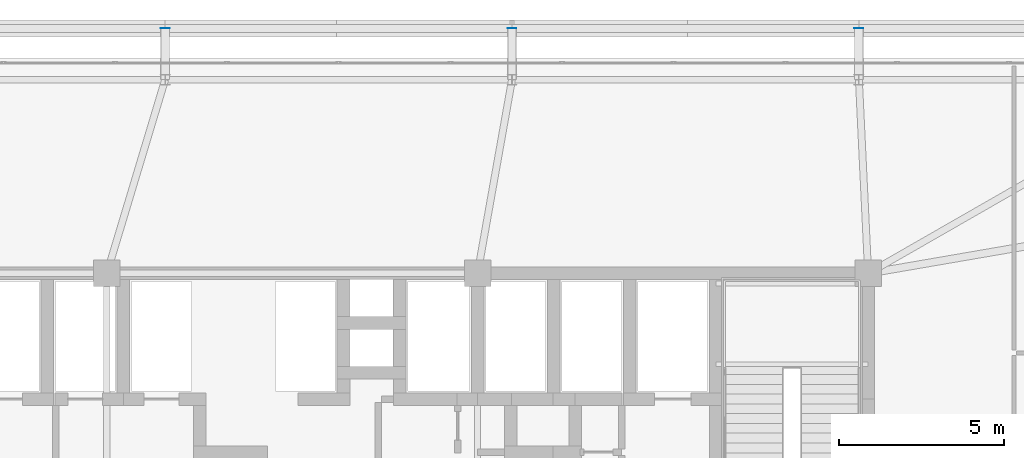
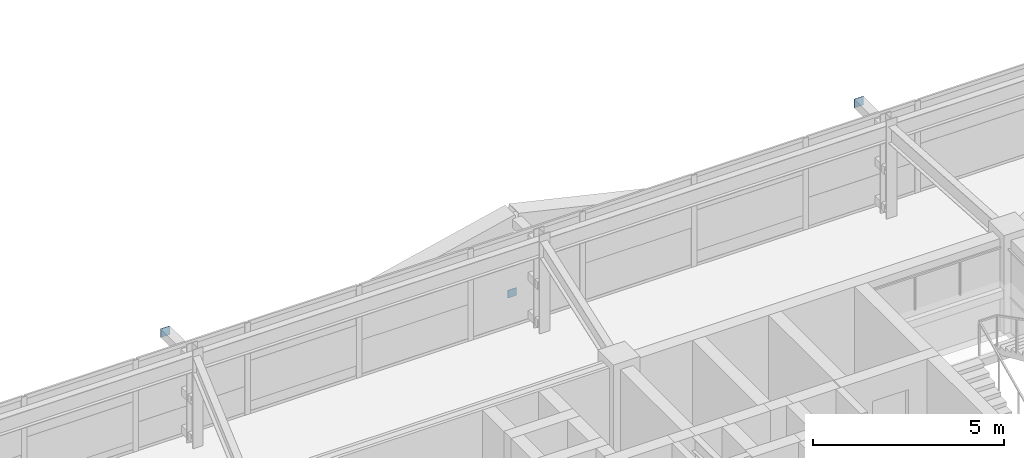
# One storey, part 50 of 59: 3 plates.
"""IFC4 building model written with IfcOpenShell, lengths in metres."""

from ifc_helpers import new_model, si_unit, direction, frame, origin, origin_2d, place, context, subcontext, project, spatial, rectangle, extrude, source, transform, mapped, material, layer, layer_set, type_object, element, save


model = new_model("IFC4")

# Units and contexts
model_context = context("Model", 3, precision=1e-05, world=origin(), true_north=direction((0.0, 1.0)))
body_context = subcontext(model_context, "Body", "Model", "MODEL_VIEW")
ifc_project = project(units=[si_unit("LENGTHUNIT", "METRE"), si_unit("AREAUNIT", "SQUARE_METRE"), si_unit("VOLUMEUNIT", "CUBIC_METRE"), si_unit("PLANEANGLEUNIT", "RADIAN"), si_unit("MASSUNIT", "GRAM", prefix="KILO")], contexts=[model_context])

# Site, building, storey
site_placement = place(None, origin())
site = spatial("IfcSite", under=ifc_project, at=site_placement, CompositionType="ELEMENT")
building_placement = place(site_placement, origin())
building = spatial("IfcBuilding", under=site, at=building_placement, Name="Taldren Reach Tower", CompositionType="ELEMENT")
storey_placement = place(building_placement, frame((0.0, 0.0, 48.300048828125)))
storey = spatial("IfcBuildingStorey", under=building, at=storey_placement, Name="L14", CompositionType="ELEMENT", Elevation=48.300048828125)

# Plates
ifc_material_1 = material(Name="Steel Gr 450 (C450L0)", Category="steel")
ifc_layer_1 = layer(ifc_material_1, 0.011962890625)
ifc_layer_set_1 = layer_set([ifc_layer_1], Name="Steel Gr 450 (C450L0)")
plate_type_1 = type_object("IfcPlateType", Name="PL-CAP-275", PredefinedType="SHEET", material=ifc_layer_set_1)
shared_shape_1 = source(origin(), body_context, "Body", "SweptSolid", [
    extrude(rectangle(XDim=0.27490234375, YDim=0.011962890625, at=origin_2d()), origin(), (0.0, 0.0, 1.0), 0.27490234375),
])
for number, where, z_axis, x_axis, name in (
    (1, (29.760009765625, 39.406005859375, 2.512451171875), (0.0, 0.0, 1.0), (1.0, 0.0, 0.0), "Tie strut end cap plate B1-N3 L14"),
    (2, (50.719970703125, 39.406005859375, 2.512451171875), (0.0, 0.0, 1.0), (1.0, 0.0, 0.0), "Tie strut end cap plate B1-N5 L14"),
):
    element("IfcPlate", number, at=place(storey_placement, frame(where, z_axis=z_axis, x_axis=x_axis)), inside=storey, type_object=plate_type_1, Name=name, PredefinedType="SHEET", context=body_context, shape_type="MappedRepresentation", body=[
        mapped(shared_shape_1, transform((0.0, 0.0, 0.0), scale=1.0)),
    ])
ifc_material_2 = material(Name="Steel Gr 350 (C350L0)", Category="steel")
ifc_layer_2 = layer(ifc_material_2, 0.011962890625)
ifc_layer_set_2 = layer_set([ifc_layer_2], Name="Steel Gr 350 (C350L0)")
plate_type_2 = type_object("IfcPlateType", Name="PL-CAP-250", PredefinedType="SHEET", material=ifc_layer_set_2)
shared_shape_2 = source(origin(), body_context, "Body", "SweptSolid", [
    extrude(rectangle(XDim=0.25, YDim=0.011962890625, at=origin_2d()), origin(), (0.0, 0.0, 1.0), 0.25),
])
plate_placement = place(storey_placement, frame((40.239990234375, 39.406005859375, 0.094970703125), z_axis=(0.0, 0.0, 1.0), x_axis=(1.0, 0.0, 0.0)))
element("IfcPlate", 3, at=plate_placement, inside=storey, type_object=plate_type_2, Name="Tie strut end cap plate B1-N4 L14", PredefinedType="SHEET", context=body_context, shape_type="MappedRepresentation", body=[
    mapped(shared_shape_2, transform((0.0, 0.0, 0.0), scale=1.0)),
])

save(model, "model.ifc")
